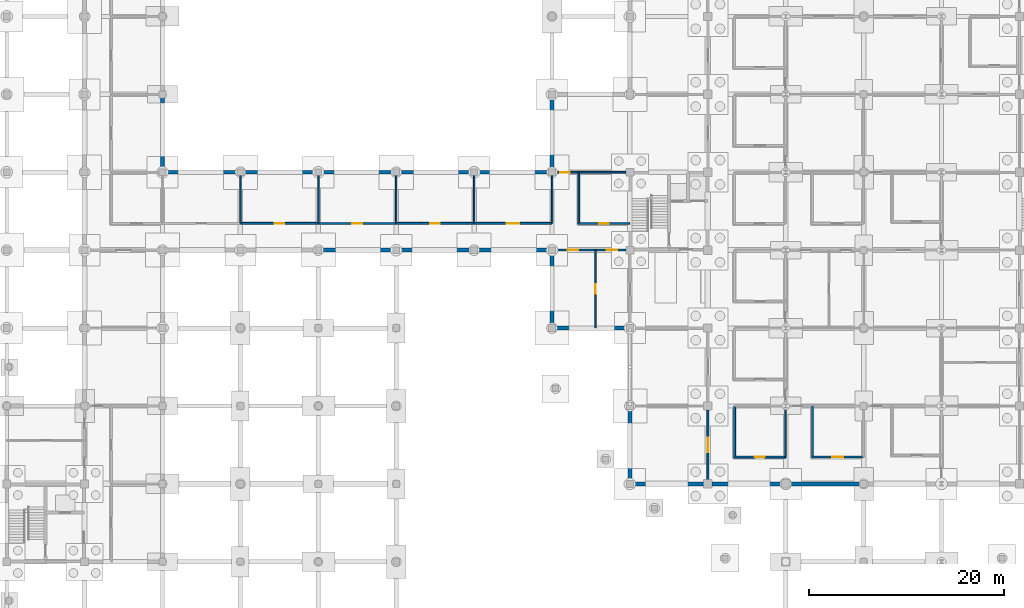
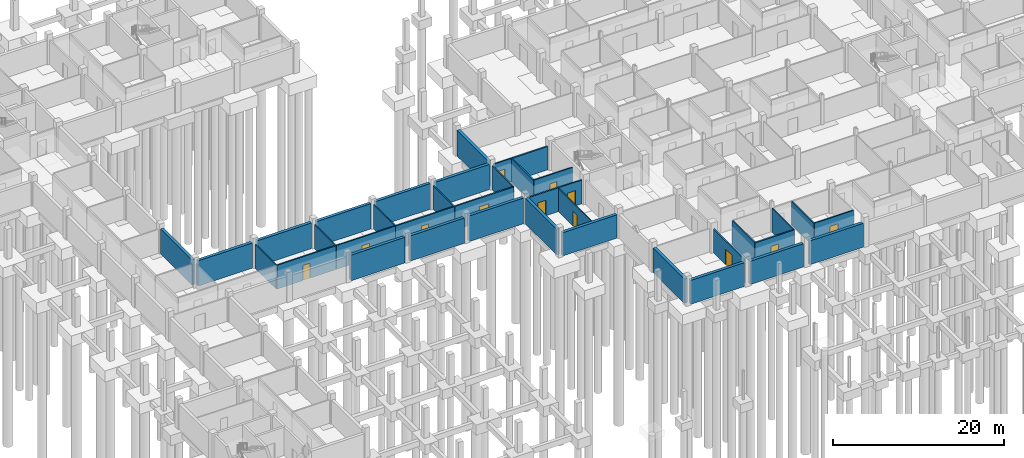
# One storey, part 27 of 48: 36 walls, 12 doors, 12 openings.
"""IFC4 building model written with IfcOpenShell, lengths in metres."""

from ifc_helpers import new_model, si_unit, derived_unit, direction, frame, frame_2d, origin, place, context, subcontext, project, spatial, rectangle, extrude, material, layer, layer_set, type_object, element, fill, save


model = new_model("IFC4")

# Units and contexts
model_context = context("Model", 3, precision=1e-05, world=origin(), true_north=direction((0.0, 1.0)))
body_context = subcontext(model_context, "Body", "Model", "MODEL_VIEW")
ifc_project = project(units=[si_unit("LENGTHUNIT", "METRE"), si_unit("AREAUNIT", "SQUARE_METRE"), si_unit("VOLUMEUNIT", "CUBIC_METRE"), si_unit("PLANEANGLEUNIT", "RADIAN"), si_unit("MASSUNIT", "GRAM", prefix="KILO"), derived_unit("THERMALTRANSMITTANCEUNIT", [(si_unit("MASSUNIT", "GRAM", prefix="KILO"), 1), (si_unit("TIMEUNIT", "SECOND"), -3), (si_unit("THERMODYNAMICTEMPERATUREUNIT", "KELVIN"), -1)])], contexts=[model_context])

# Site, building, storey
site_placement = place(None, origin())
site = spatial("IfcSite", under=ifc_project, at=site_placement, CompositionType="ELEMENT")
building_placement = place(site_placement, origin())
building = spatial("IfcBuilding", under=site, at=building_placement, Name="Veyamyaing Civic Hall", CompositionType="ELEMENT")
storey_placement = place(building_placement, frame((0.0, 0.0, -4.2900390625)))
storey = spatial("IfcBuildingStorey", under=building, at=storey_placement, Name="B1", CompositionType="ELEMENT", Elevation=-4.2900390625)

# Walls
ifc_material_1 = material(Name="Concrete C40/50", Category="concrete")
ifc_layer_1 = layer(ifc_material_1, 0.39990234375, Name="Concrete C40/50")
ifc_layer_set_1 = layer_set([ifc_layer_1], Name="Concrete C40/50")
wall_type_1 = type_object("IfcWallType", Name="WT-01", PredefinedType="SHEAR", material=ifc_layer_set_1)
for number, where, z_axis, x_axis, name in (
    (1, (16.0, 56.3349609375, 0.0), (0.0, 0.0, 1.0), (0.0, 1.0, 0.0), "Basement retaining wall WT-01 E 2.8"),
    (2, (16.3349609375, 56.0, 0.0), (0.0, 0.0, 1.0), (1.0, 0.0, 0.0), "Basement retaining wall WT-01 N 3.7"),
):
    element("IfcWall", number, at=place(storey_placement, frame(where, z_axis=z_axis, x_axis=x_axis)), inside=storey, type_object=wall_type_1, Name=name, PredefinedType="SHEAR", context=body_context, shape_type="SweptSolid", body=[
        extrude(rectangle(XDim=7.330078125, YDim=0.39990234375, at=frame_2d((3.6650390625, 0.0))), origin(), (0.0, 0.0, 1.0), 3.60009765625),
    ])
for number, where, z_axis, x_axis, name in (
    (3, (24.3349609375, 56.0, 0.0), (0.0, 0.0, 1.0), (1.0, 0.0, 0.0), "Basement retaining wall WT-01 N 4.7"),
    (4, (32.3349609375, 48.0, 0.0), (0.0, 0.0, 1.0), (1.0, 0.0, 0.0), "Basement retaining wall WT-01 S 5.7"),
):
    element("IfcWall", number, at=place(storey_placement, frame(where, z_axis=z_axis, x_axis=x_axis)), inside=storey, type_object=wall_type_1, Name=name, PredefinedType="SHEAR", context=body_context, shape_type="SweptSolid", body=[
        extrude(rectangle(XDim=7.330078125, YDim=0.39990234375, at=frame_2d((3.6650390625, 0.0))), origin(), (0.0, 0.0, 1.0), 3.6640625),
    ])
for number, where, z_axis, x_axis, name in (
    (5, (32.3349609375, 56.0, 0.0), (0.0, 0.0, 1.0), (1.0, 0.0, 0.0), "Basement retaining wall WT-01 N 5.7"),
    (6, (40.3349609375, 48.0, 0.0), (0.0, 0.0, 1.0), (1.0, 0.0, 0.0), "Basement retaining wall WT-01 S 6.7"),
):
    element("IfcWall", number, at=place(storey_placement, frame(where, z_axis=z_axis, x_axis=x_axis)), inside=storey, type_object=wall_type_1, Name=name, PredefinedType="SHEAR", context=body_context, shape_type="SweptSolid", body=[
        extrude(rectangle(XDim=7.330078125, YDim=0.39990234375, at=frame_2d((3.6650390625, 0.0))), origin(), (0.0, 0.0, 1.0), 3.60400390625),
    ])
for number, where, z_axis, x_axis, name in (
    (7, (40.3349609375, 56.0, 0.0), (0.0, 0.0, 1.0), (1.0, 0.0, 0.0), "Basement retaining wall WT-01 N 6.7"),
    (8, (48.3349609375, 48.0, 0.0), (0.0, 0.0, 1.0), (1.0, 0.0, 0.0), "Basement retaining wall WT-01 S 7.7"),
):
    element("IfcWall", number, at=place(storey_placement, frame(where, z_axis=z_axis, x_axis=x_axis)), inside=storey, type_object=wall_type_1, Name=name, PredefinedType="SHEAR", context=body_context, shape_type="SweptSolid", body=[
        extrude(rectangle(XDim=7.330078125, YDim=0.39990234375, at=frame_2d((3.6650390625, 0.0))), origin(), (0.0, 0.0, 1.0), 3.6669921875),
    ])
wall_1_placement = place(storey_placement, frame((48.3349609375, 56.0, 0.0), z_axis=(0.0, 0.0, 1.0), x_axis=(1.0, 0.0, 0.0)))
element("IfcWall", 9, at=wall_1_placement, inside=storey, type_object=wall_type_1, Name="Basement retaining wall WT-01 N 7.7", PredefinedType="SHEAR", context=body_context, shape_type="SweptSolid", body=[
    extrude(rectangle(XDim=7.330078125, YDim=0.39990234375, at=frame_2d((3.6650390625, 0.0))), origin(), (0.0, 0.0, 1.0), 3.60009765625),
])
wall_2_placement = place(storey_placement, frame((56.3349609375, 40.0, 0.0), z_axis=(0.0, 0.0, 1.0), x_axis=(1.0, 0.0, 0.0)))
element("IfcWall", 10, at=wall_2_placement, inside=storey, type_object=wall_type_1, Name="Basement retaining wall WT-01 S 8.6", PredefinedType="SHEAR", context=body_context, shape_type="SweptSolid", body=[
    extrude(rectangle(XDim=7.330078125, YDim=0.39990234375, at=frame_2d((3.6650390625, 0.0))), origin(), (0.0, 0.0, 1.0), 3.323974609375),
])
wall_3_placement = place(storey_placement, frame((56.0, 40.3349609375, 0.0), z_axis=(0.0, 0.0, 1.0), x_axis=(0.0, 1.0, 0.0)))
element("IfcWall", 11, at=wall_3_placement, inside=storey, type_object=wall_type_1, Name="Basement retaining wall WT-01 W 8.6", PredefinedType="SHEAR", context=body_context, shape_type="SweptSolid", body=[
    extrude(rectangle(XDim=7.330078125, YDim=0.39990234375, at=frame_2d((3.6650390625, 0.0))), origin(), (0.0, 0.0, 1.0), 3.6669921875),
])
wall_4_placement = place(storey_placement, frame((56.0, 56.3349609375, 0.0), z_axis=(0.0, 0.0, 1.0), x_axis=(0.0, 1.0, 0.0)))
element("IfcWall", 12, at=wall_4_placement, inside=storey, type_object=wall_type_1, Name="Basement retaining wall WT-01 W 8.8", PredefinedType="SHEAR", context=body_context, shape_type="SweptSolid", body=[
    extrude(rectangle(XDim=7.330078125, YDim=0.39990234375, at=frame_2d((3.6650390625, 0.0))), origin(), (0.0, 0.0, 1.0), 3.6640625),
])
wall_5_placement = place(storey_placement, frame((64.3349609375, 24.0, 0.0), z_axis=(0.0, 0.0, 1.0), x_axis=(1.0, 0.0, 0.0)))
element("IfcWall", 13, at=wall_5_placement, inside=storey, type_object=wall_type_1, Name="Basement retaining wall WT-01 S 9.4", PredefinedType="SHEAR", context=body_context, shape_type="SweptSolid", body=[
    extrude(rectangle(XDim=7.255126953125, YDim=0.39990234375, at=frame_2d((3.62744140625, 0.0))), origin(), (0.0, 0.0, 1.0), 3.401123046875),
])
wall_6_placement = place(storey_placement, frame((64.0, 24.3349609375, 0.0), z_axis=(0.0, 0.0, 1.0), x_axis=(0.0, 1.0, 0.0)))
element("IfcWall", 14, at=wall_6_placement, inside=storey, type_object=wall_type_1, Name="Basement retaining wall WT-01 W 9.4", PredefinedType="SHEAR", context=body_context, shape_type="SweptSolid", body=[
    extrude(rectangle(XDim=7.330078125, YDim=0.39990234375, at=frame_2d((3.6650390625, 0.0))), origin(), (0.0, 0.0, 1.0), 3.468017578125),
])
wall_7_placement = place(storey_placement, frame((72.409912109375, 24.0, 0.0), z_axis=(0.0, 0.0, 1.0), x_axis=(1.0, 0.0, 0.0)))
element("IfcWall", 15, at=wall_7_placement, inside=storey, type_object=wall_type_1, Name="Basement retaining wall WT-01 S 10.4", PredefinedType="SHEAR", context=body_context, shape_type="SweptSolid", body=[
    extrude(rectangle(XDim=7.18017578125, YDim=0.39990234375, at=frame_2d((3.590087890625, 0.0))), origin(), (0.0, 0.0, 1.0), 3.323974609375),
])
wall_8_placement = place(storey_placement, frame((80.409912109375, 24.0, 0.0), z_axis=(0.0, 0.0, 1.0), x_axis=(1.0, 0.0, 0.0)))
element("IfcWall", 16, at=wall_8_placement, inside=storey, type_object=wall_type_1, Name="Basement retaining wall WT-01 S 11.4", PredefinedType="SHEAR", context=body_context, shape_type="SweptSolid", body=[
    extrude(rectangle(XDim=7.255126953125, YDim=0.39990234375, at=frame_2d((3.62744140625, 0.0))), origin(), (0.0, 0.0, 1.0), 3.400146484375),
])

# Wall, openings, doors
ifc_layer_2 = layer(ifc_material_1, 0.199951171875, Name="Concrete C40/50")
ifc_layer_set_2 = layer_set([ifc_layer_2], Name="Concrete C40/50")
wall_type_2 = type_object("IfcWallType", Name="WT-06", PredefinedType="PARTITIONING", material=ifc_layer_set_2)
wall_9_placement = place(storey_placement, frame((56.340087890625, 48.0, 0.0), z_axis=(0.0, 0.0, 1.0), x_axis=(1.0, 0.0, 0.0)))
wall_9 = element("IfcWall", 17, at=wall_9_placement, inside=storey, type_object=wall_type_2, Name="Interior partition wall WT-06 B1.14", PredefinedType="PARTITIONING", context=body_context, shape_type="SweptSolid", body=[
    extrude(rectangle(XDim=7.27001953125, YDim=0.199951171875, at=frame_2d((3.635009765625, 0.0))), origin(), (0.0, 0.0, 1.0), 3.39306640625),
])
opening_1_placement = place(wall_9_placement, frame((1.277587890625, 0.0, 0.0)))
opening_1 = element("IfcOpeningElement", 18, at=opening_1_placement, cuts=wall_9, Name="Opening D-23", PredefinedType="OPENING", context=body_context, shape_type="SweptSolid", body=[
    extrude(rectangle(XDim=1.080078125, YDim=2.199951171875, at=frame_2d((0.5400390625, 1.10009765625))), frame((0.0, 0.10986328125, 0.0), z_axis=(0.0, -1.0, 0.0), x_axis=(1.0, 0.0, 0.0)), (0.0, 0.0, 1.0), 0.219970703125),
])
opening_2_placement = place(wall_9_placement, frame((5.27587890625, 0.0, 0.0)))
opening_2 = element("IfcOpeningElement", 19, at=opening_2_placement, cuts=wall_9, Name="Opening D-23", PredefinedType="OPENING", context=body_context, shape_type="SweptSolid", body=[
    extrude(rectangle(XDim=1.080078125, YDim=2.199951171875, at=frame_2d((0.5400390625, 1.10009765625))), frame((0.0, 0.10986328125, 0.0), z_axis=(0.0, -1.0, 0.0), x_axis=(1.0, 0.0, 0.0)), (0.0, 0.0, 1.0), 0.219970703125),
])
ifc_material_2 = material(Name="Teak-veneered acoustic timber", Category="wood")
door_type_1 = type_object("IfcDoorType", Name="D-23", OperationType="NOTDEFINED", PredefinedType="DOOR", material=ifc_material_2)
door_1_placement = place(opening_1_placement, frame((1.080078125, 0.0, 0.0), z_axis=(0.0, 0.0, 1.0), x_axis=(-1.0, 0.0, 0.0)))
door_1 = element("IfcDoor", 20, at=door_1_placement, inside=storey, type_object=door_type_1, Name="Interior room door D-23 B1.14.1", OperationType="SINGLE_SWING_RIGHT", OverallHeight=2.199951171875, OverallWidth=1.080078125, PredefinedType="DOOR", context=body_context, shape_type="SweptSolid", body=[
    extrude(rectangle(XDim=1.080078125, YDim=2.199951171875, at=frame_2d((0.5400390625, 1.10009765625))), frame((0.0, 0.02490234375, 0.0), z_axis=(0.0, -1.0, 0.0), x_axis=(1.0, 0.0, 0.0)), (0.0, 0.0, 1.0), 0.050048828125),
])
fill(opening_1, door_1)
door_2_placement = place(opening_2_placement, frame((1.080078125, 0.0, 0.0), z_axis=(0.0, 0.0, 1.0), x_axis=(-1.0, 0.0, 0.0)))
door_2 = element("IfcDoor", 21, at=door_2_placement, inside=storey, type_object=door_type_1, Name="Interior room door D-23 B1.14.2", OperationType="SINGLE_SWING_LEFT", OverallHeight=2.199951171875, OverallWidth=1.080078125, PredefinedType="DOOR", context=body_context, shape_type="SweptSolid", body=[
    extrude(rectangle(XDim=1.080078125, YDim=2.199951171875, at=frame_2d((0.5400390625, 1.10009765625))), frame((0.0, 0.02490234375, 0.0), z_axis=(0.0, -1.0, 0.0), x_axis=(1.0, 0.0, 0.0)), (0.0, 0.0, 1.0), 0.050048828125),
])
fill(opening_2, door_2)

# Wall, opening, door
wall_10_placement = place(storey_placement, frame((56.340087890625, 56.0, 0.0), z_axis=(0.0, 0.0, 1.0), x_axis=(1.0, 0.0, 0.0)))
wall_10 = element("IfcWall", 22, at=wall_10_placement, inside=storey, type_object=wall_type_2, Name="Interior partition wall WT-06 B1.15", PredefinedType="PARTITIONING", context=body_context, shape_type="SweptSolid", body=[
    extrude(rectangle(XDim=7.27001953125, YDim=0.199951171875, at=frame_2d((3.635009765625, 0.0))), origin(), (0.0, 0.0, 1.0), 3.325927734375),
])
opening_3_placement = place(wall_10_placement, frame((0.52001953125, 0.0, 0.0)))
opening_3 = element("IfcOpeningElement", 23, at=opening_3_placement, cuts=wall_10, Name="Opening D-30", PredefinedType="OPENING", context=body_context, shape_type="SweptSolid", body=[
    extrude(rectangle(XDim=0.93994140625, YDim=2.1201171875, at=frame_2d((0.469970703125, 1.06005859375))), frame((0.0, 0.10986328125, 0.0), z_axis=(0.0, -1.0, 0.0), x_axis=(1.0, 0.0, 0.0)), (0.0, 0.0, 1.0), 0.219970703125),
])
door_type_2 = type_object("IfcDoorType", Name="D-30", OperationType="NOTDEFINED", PredefinedType="DOOR", material=ifc_material_2)
door_3_placement = place(opening_3_placement, origin())
door_3 = element("IfcDoor", 24, at=door_3_placement, inside=storey, type_object=door_type_2, Name="Interior door D-30 B1.15", OperationType="SINGLE_SWING_RIGHT", OverallHeight=2.1201171875, OverallWidth=0.93994140625, PredefinedType="DOOR", context=body_context, shape_type="SweptSolid", body=[
    extrude(rectangle(XDim=0.93994140625, YDim=2.1201171875, at=frame_2d((0.469970703125, 1.06005859375))), frame((0.0, 0.02490234375, 0.0), z_axis=(0.0, -1.0, 0.0), x_axis=(1.0, 0.0, 0.0)), (0.0, 0.0, 1.0), 0.050048828125),
])
fill(opening_3, door_3)

wall_11_placement = place(storey_placement, frame((72.0, 24.4150390625, 0.0), z_axis=(0.0, 0.0, 1.0), x_axis=(0.0, 1.0, 0.0)))
wall_11 = element("IfcWall", 25, at=wall_11_placement, inside=storey, type_object=wall_type_2, Name="Interior partition wall WT-06 B1.16", PredefinedType="PARTITIONING", context=body_context, shape_type="SweptSolid", body=[
    extrude(rectangle(XDim=7.169921875, YDim=0.199951171875, at=frame_2d((3.5849609375, 0.0))), origin(), (0.0, 0.0, 1.0), 3.39306640625),
])
opening_4_placement = place(wall_11_placement, frame((2.8349609375, 0.0, 0.0)))
opening_4 = element("IfcOpeningElement", 26, at=opening_4_placement, cuts=wall_11, Name="Opening D-10", PredefinedType="OPENING", context=body_context, shape_type="SweptSolid", body=[
    extrude(rectangle(XDim=1.5, YDim=2.25, at=frame_2d((0.75, 1.125))), frame((0.0, 0.10986328125, 0.0), z_axis=(0.0, -1.0, 0.0), x_axis=(1.0, 0.0, 0.0)), (0.0, 0.0, 1.0), 0.219970703125),
])
ifc_material_3 = material(Name="Galvanized steel S355J2", Category="steel")
door_type_3 = type_object("IfcDoorType", Name="D-10", OperationType="DOUBLE_DOOR_SINGLE_SWING", PredefinedType="DOOR", material=ifc_material_3)
door_4_placement = place(opening_4_placement, origin())
door_4 = element("IfcDoor", 27, at=door_4_placement, inside=storey, type_object=door_type_3, Name="Interior door D-10 B1.16", OperationType="DOUBLE_DOOR_SINGLE_SWING", OverallHeight=2.25, OverallWidth=1.5, PredefinedType="DOOR", context=body_context, shape_type="SweptSolid", body=[
    extrude(rectangle(XDim=1.5, YDim=2.25, at=frame_2d((0.75, 1.125))), frame((0.0, 0.02490234375, 0.0), z_axis=(0.0, -1.0, 0.0), x_axis=(1.0, 0.0, 0.0)), (0.0, 0.0, 1.0), 0.050048828125),
])
fill(opening_4, door_4)

ifc_material_4 = material(Name="Gypsum board on acoustic steel stud", Category="steel")
ifc_layer_3 = layer(ifc_material_4, 0.175048828125, Name="Gypsum board on acoustic steel stud")
ifc_layer_set_3 = layer_set([ifc_layer_3], Name="Gypsum board on acoustic steel stud")
wall_type_3 = type_object("IfcWallType", Name="WT-07", PredefinedType="PARTITIONING", material=ifc_layer_set_3)
wall_12_placement = place(storey_placement, frame((32.02001953125, 50.75, 0.0), z_axis=(0.0, 0.0, 1.0), x_axis=(1.0, 0.0, 0.0)))
wall_12 = element("IfcWall", 28, at=wall_12_placement, inside=storey, type_object=wall_type_3, Name="Corridor gallery partition WT-07 B1.15.1", PredefinedType="PARTITIONING", context=body_context, shape_type="SweptSolid", body=[
    extrude(rectangle(XDim=7.9599609375, YDim=0.175048828125, at=frame_2d((3.97998046875, 0.0))), origin(), (0.0, 0.0, 1.0), 3.39404296875),
])
opening_5_placement = place(wall_12_placement, frame((3.4599609375, 0.0, 0.0)))
opening_5 = element("IfcOpeningElement", 29, at=opening_5_placement, cuts=wall_12, Name="Opening D-24", PredefinedType="OPENING", context=body_context, shape_type="SweptSolid", body=[
    extrude(rectangle(XDim=1.0400390625, YDim=2.179931640625, at=frame_2d((0.52001953125, 1.08984375))), frame((0.0, 0.097412109375, 0.0), z_axis=(0.0, -1.0, 0.0), x_axis=(1.0, 0.0, 0.0)), (0.0, 0.0, 1.0), 0.195068359375),
])
door_type_4 = type_object("IfcDoorType", Name="D-24", OperationType="NOTDEFINED", PredefinedType="DOOR", material=ifc_material_2)
door_5_placement = place(opening_5_placement, origin())
door_5 = element("IfcDoor", 30, at=door_5_placement, inside=storey, type_object=door_type_4, Name="Gallery office door D-24 B1.15", OperationType="SINGLE_SWING_LEFT", OverallHeight=2.179931640625, OverallWidth=1.0400390625, PredefinedType="DOOR", context=body_context, shape_type="SweptSolid", body=[
    extrude(rectangle(XDim=1.0400390625, YDim=2.179931640625, at=frame_2d((0.52001953125, 1.08984375))), frame((0.0, 0.02490234375, 0.0), z_axis=(0.0, -1.0, 0.0), x_axis=(1.0, 0.0, 0.0)), (0.0, 0.0, 1.0), 0.050048828125),
])
fill(opening_5, door_5)

wall_13_placement = place(storey_placement, frame((58.699951171875, 50.75, 0.0), z_axis=(0.0, 0.0, 1.0), x_axis=(1.0, 0.0, 0.0)))
wall_13 = element("IfcWall", 31, at=wall_13_placement, inside=storey, type_object=wall_type_3, Name="Corridor gallery partition WT-07 B1.19.1", PredefinedType="PARTITIONING", context=body_context, shape_type="SweptSolid", body=[
    extrude(rectangle(XDim=5.280029296875, YDim=0.175048828125, at=frame_2d((2.64013671875, 0.0))), origin(), (0.0, 0.0, 1.0), 3.39404296875),
])
opening_6_placement = place(wall_13_placement, frame((2.169921875, 0.0, 0.0)))
opening_6 = element("IfcOpeningElement", 32, at=opening_6_placement, cuts=wall_13, Name="Opening D-30", PredefinedType="OPENING", context=body_context, shape_type="SweptSolid", body=[
    extrude(rectangle(XDim=0.93994140625, YDim=2.1201171875, at=frame_2d((0.469970703125, 1.06005859375))), frame((0.0, 0.097412109375, 0.0), z_axis=(0.0, -1.0, 0.0), x_axis=(1.0, 0.0, 0.0)), (0.0, 0.0, 1.0), 0.195068359375),
])
door_6_placement = place(opening_6_placement, origin())
door_6 = element("IfcDoor", 33, at=door_6_placement, inside=storey, type_object=door_type_2, Name="Gallery office door D-30 B1.19", OperationType="SINGLE_SWING_LEFT", OverallHeight=2.1201171875, OverallWidth=0.93994140625, PredefinedType="DOOR", context=body_context, shape_type="SweptSolid", body=[
    extrude(rectangle(XDim=0.93994140625, YDim=2.1201171875, at=frame_2d((0.469970703125, 1.06005859375))), frame((0.0, 0.02490234375, 0.0), z_axis=(0.0, -1.0, 0.0), x_axis=(1.0, 0.0, 0.0)), (0.0, 0.0, 1.0), 0.050048828125),
])
fill(opening_6, door_6)

# Wall
wall_14_placement = place(storey_placement, frame((58.75, 50.699951171875, 0.0), z_axis=(0.0, 0.0, 1.0), x_axis=(0.0, 1.0, 0.0)))
element("IfcWall", 34, at=wall_14_placement, inside=storey, type_object=wall_type_3, Name="Corridor gallery partition WT-07 B1.19.2", PredefinedType="PARTITIONING", context=body_context, shape_type="SweptSolid", body=[
    extrude(rectangle(XDim=5.280029296875, YDim=0.175048828125, at=frame_2d((2.64013671875, 0.0))), origin(), (0.0, 0.0, 1.0), 3.325927734375),
])

# Wall, opening, door
wall_15_placement = place(storey_placement, frame((82.699951171875, 26.75, 0.0), z_axis=(0.0, 0.0, 1.0), x_axis=(1.0, 0.0, 0.0)))
wall_15 = element("IfcWall", 35, at=wall_15_placement, inside=storey, type_object=wall_type_3, Name="Corridor gallery partition WT-07 B1.27.1", PredefinedType="PARTITIONING", context=body_context, shape_type="SweptSolid", body=[
    extrude(rectangle(XDim=5.280029296875, YDim=0.175048828125, at=frame_2d((2.64013671875, 0.0))), origin(), (0.0, 0.0, 1.0), 3.39404296875),
])
opening_7_placement = place(wall_15_placement, frame((2.080078125, 0.0, 0.0)))
opening_7 = element("IfcOpeningElement", 36, at=opening_7_placement, cuts=wall_15, Name="Opening D-26", PredefinedType="OPENING", context=body_context, shape_type="SweptSolid", body=[
    extrude(rectangle(XDim=1.1201171875, YDim=2.219970703125, at=frame_2d((0.56005859375, 1.10986328125))), frame((0.0, 0.097412109375, 0.0), z_axis=(0.0, -1.0, 0.0), x_axis=(1.0, 0.0, 0.0)), (0.0, 0.0, 1.0), 0.195068359375),
])
door_type_5 = type_object("IfcDoorType", Name="D-26", OperationType="NOTDEFINED", PredefinedType="DOOR", material=ifc_material_2)
door_7_placement = place(opening_7_placement, origin())
door_7 = element("IfcDoor", 37, at=door_7_placement, inside=storey, type_object=door_type_5, Name="Gallery office door D-26 B1.27", OperationType="SINGLE_SWING_LEFT", OverallHeight=2.219970703125, OverallWidth=1.1201171875, PredefinedType="DOOR", context=body_context, shape_type="SweptSolid", body=[
    extrude(rectangle(XDim=1.1201171875, YDim=2.219970703125, at=frame_2d((0.56005859375, 1.10986328125))), frame((0.0, 0.02490234375, 0.0), z_axis=(0.0, -1.0, 0.0), x_axis=(1.0, 0.0, 0.0)), (0.0, 0.0, 1.0), 0.050048828125),
])
fill(opening_7, door_7)

# Walls
wall_16_placement = place(storey_placement, frame((82.75, 26.699951171875, 0.0), z_axis=(0.0, 0.0, 1.0), x_axis=(0.0, 1.0, 0.0)))
element("IfcWall", 38, at=wall_16_placement, inside=storey, type_object=wall_type_3, Name="Corridor gallery partition WT-07 B1.27.2", PredefinedType="PARTITIONING", context=body_context, shape_type="SweptSolid", body=[
    extrude(rectangle(XDim=5.280029296875, YDim=0.175048828125, at=frame_2d((2.64013671875, 0.0))), origin(), (0.0, 0.0, 1.0), 3.325927734375),
])
ifc_material_5 = material(Name="Gypsum board on steel stud", Category="steel")
ifc_layer_4 = layer(ifc_material_5, 0.14990234375, Name="Gypsum board on steel stud")
ifc_layer_set_4 = layer_set([ifc_layer_4], Name="Gypsum board on steel stud")
wall_type_4 = type_object("IfcWallType", Name="WT-08", PredefinedType="PARTITIONING", material=ifc_layer_set_4)
wall_17_placement = place(storey_placement, frame((24.0, 50.75, 0.0), z_axis=(0.0, 0.0, 1.0), x_axis=(0.0, 1.0, 0.0)))
element("IfcWall", 39, at=wall_17_placement, inside=storey, type_object=wall_type_4, Name="Gallery office end partition WT-08 B1.11.2", PredefinedType="PARTITIONING", context=body_context, shape_type="SweptSolid", body=[
    extrude(rectangle(XDim=4.889892578125, YDim=0.14990234375, at=frame_2d((2.44482421875, 0.0))), origin(), (0.0, 0.0, 1.0), 3.402099609375),
])
wall_18_placement = place(storey_placement, frame((32.0, 50.75, 0.0), z_axis=(0.0, 0.0, 1.0), x_axis=(0.0, 1.0, 0.0)))
element("IfcWall", 40, at=wall_18_placement, inside=storey, type_object=wall_type_4, Name="Gallery office end partition WT-08 B1.12.2", PredefinedType="PARTITIONING", context=body_context, shape_type="SweptSolid", body=[
    extrude(rectangle(XDim=4.889892578125, YDim=0.14990234375, at=frame_2d((2.44482421875, 0.0))), origin(), (0.0, 0.0, 1.0), 3.39404296875),
])
wall_19_placement = place(storey_placement, frame((40.0, 50.75, 0.0), z_axis=(0.0, 0.0, 1.0), x_axis=(0.0, 1.0, 0.0)))
element("IfcWall", 41, at=wall_19_placement, inside=storey, type_object=wall_type_4, Name="Gallery office end partition WT-08 B1.15.2", PredefinedType="PARTITIONING", context=body_context, shape_type="SweptSolid", body=[
    extrude(rectangle(XDim=4.889892578125, YDim=0.14990234375, at=frame_2d((2.44482421875, 0.0))), origin(), (0.0, 0.0, 1.0), 3.4609375),
])
wall_20_placement = place(storey_placement, frame((48.0, 50.75, 0.0), z_axis=(0.0, 0.0, 1.0), x_axis=(0.0, 1.0, 0.0)))
element("IfcWall", 42, at=wall_20_placement, inside=storey, type_object=wall_type_4, Name="Gallery office end partition WT-08 B1.16.2", PredefinedType="PARTITIONING", context=body_context, shape_type="SweptSolid", body=[
    extrude(rectangle(XDim=4.889892578125, YDim=0.14990234375, at=frame_2d((2.44482421875, 0.0))), origin(), (0.0, 0.0, 1.0), 3.39306640625),
])
wall_21_placement = place(storey_placement, frame((56.0, 50.75, 0.0), z_axis=(0.0, 0.0, 1.0), x_axis=(0.0, 1.0, 0.0)))
element("IfcWall", 43, at=wall_21_placement, inside=storey, type_object=wall_type_4, Name="Gallery office end partition WT-08 B1.18.2", PredefinedType="PARTITIONING", context=body_context, shape_type="SweptSolid", body=[
    extrude(rectangle(XDim=4.889892578125, YDim=0.14990234375, at=frame_2d((2.44482421875, 0.0))), origin(), (0.0, 0.0, 1.0), 3.402099609375),
])
wall_22_placement = place(storey_placement, frame((80.0, 26.75, 0.0), z_axis=(0.0, 0.0, 1.0), x_axis=(0.0, 1.0, 0.0)))
element("IfcWall", 44, at=wall_22_placement, inside=storey, type_object=wall_type_4, Name="Gallery office end partition WT-08 B1.20.2", PredefinedType="PARTITIONING", context=body_context, shape_type="SweptSolid", body=[
    extrude(rectangle(XDim=5.04638671875, YDim=0.14990234375, at=frame_2d((2.523193359375, 0.0))), origin(), (0.0, 0.0, 1.0), 3.402099609375),
])

# Wall, opening, door
ifc_layer_5 = layer(ifc_material_5, 0.135009765625, Name="Gypsum board on steel stud")
ifc_layer_set_5 = layer_set([ifc_layer_5], Name="Gypsum board on steel stud")
wall_type_5 = type_object("IfcWallType", Name="WT-15", PredefinedType="PARTITIONING", material=ifc_layer_set_5)
wall_23_placement = place(storey_placement, frame((60.449951171875, 40.02001953125, 0.0), z_axis=(0.0, 0.0, 1.0), x_axis=(0.0, 1.0, 0.0)))
wall_23 = element("IfcWall", 45, at=wall_23_placement, inside=storey, type_object=wall_type_5, Name="Sub-bay room partition WT-15 B1.2", PredefinedType="PARTITIONING", context=body_context, shape_type="SweptSolid", body=[
    extrude(rectangle(XDim=7.9599609375, YDim=0.135009765625, at=frame_2d((3.97998046875, 0.0))), origin(), (0.0, 0.0, 1.0), 3.317138671875),
])
opening_8_placement = place(wall_23_placement, frame((3.489990234375, 0.0, 0.0)))
opening_8 = element("IfcOpeningElement", 46, at=opening_8_placement, cuts=wall_23, Name="Opening D-14", PredefinedType="OPENING", context=body_context, shape_type="SweptSolid", body=[
    extrude(rectangle(XDim=0.97998046875, YDim=2.14990234375, at=frame_2d((0.489990234375, 1.074951171875))), frame((0.0, 0.077392578125, 0.0), z_axis=(0.0, -1.0, 0.0), x_axis=(1.0, 0.0, 0.0)), (0.0, 0.0, 1.0), 0.155029296875),
])
door_type_6 = type_object("IfcDoorType", Name="D-14", OperationType="NOTDEFINED", PredefinedType="DOOR", material=ifc_material_2)
door_8_placement = place(opening_8_placement, origin())
door_8 = element("IfcDoor", 47, at=door_8_placement, inside=storey, type_object=door_type_6, Name="Suite connecting door D-14 B1.2", OperationType="SINGLE_SWING_RIGHT", OverallHeight=2.14990234375, OverallWidth=0.97998046875, PredefinedType="DOOR", context=body_context, shape_type="SweptSolid", body=[
    extrude(rectangle(XDim=0.97998046875, YDim=2.14990234375, at=frame_2d((0.489990234375, 1.074951171875))), frame((0.0, 0.02490234375, 0.0), z_axis=(0.0, -1.0, 0.0), x_axis=(1.0, 0.0, 0.0)), (0.0, 0.0, 1.0), 0.050048828125),
])
fill(opening_8, door_8)

ifc_material_6 = material(Name="Gypsum board on double acoustic stud")
ifc_layer_6 = layer(ifc_material_6, 0.18505859375, Name="Gypsum board on double acoustic stud")
ifc_layer_set_6 = layer_set([ifc_layer_6], Name="Gypsum board on double acoustic stud")
wall_type_6 = type_object("IfcWallType", Name="WT-19", PredefinedType="PARTITIONING", material=ifc_layer_set_6)
wall_24_placement = place(storey_placement, frame((24.02001953125, 50.75, 0.0), z_axis=(0.0, 0.0, 1.0), x_axis=(1.0, 0.0, 0.0)))
wall_24 = element("IfcWall", 48, at=wall_24_placement, inside=storey, type_object=wall_type_6, Name="Corridor gallery partition WT-19 B1.12.1", PredefinedType="PARTITIONING", context=body_context, shape_type="SweptSolid", body=[
    extrude(rectangle(XDim=7.9599609375, YDim=0.18505859375, at=frame_2d((3.97998046875, 0.0))), origin(), (0.0, 0.0, 1.0), 3.39404296875),
])
opening_9_placement = place(wall_24_placement, frame((3.489990234375, 0.0, 0.0)))
opening_9 = element("IfcOpeningElement", 49, at=opening_9_placement, cuts=wall_24, Name="Opening D-14", PredefinedType="OPENING", context=body_context, shape_type="SweptSolid", body=[
    extrude(rectangle(XDim=0.97998046875, YDim=2.14990234375, at=frame_2d((0.489990234375, 1.074951171875))), frame((0.0, 0.1025390625, 0.0), z_axis=(0.0, -1.0, 0.0), x_axis=(1.0, 0.0, 0.0)), (0.0, 0.0, 1.0), 0.205078125),
])
door_9_placement = place(opening_9_placement, origin())
door_9 = element("IfcDoor", 50, at=door_9_placement, inside=storey, type_object=door_type_6, Name="Gallery office door D-14 B1.12", OperationType="SINGLE_SWING_RIGHT", OverallHeight=2.14990234375, OverallWidth=0.97998046875, PredefinedType="DOOR", context=body_context, shape_type="SweptSolid", body=[
    extrude(rectangle(XDim=0.97998046875, YDim=2.14990234375, at=frame_2d((0.489990234375, 1.074951171875))), frame((0.0, 0.02490234375, 0.0), z_axis=(0.0, -1.0, 0.0), x_axis=(1.0, 0.0, 0.0)), (0.0, 0.0, 1.0), 0.050048828125),
])
fill(opening_9, door_9)

wall_25_placement = place(storey_placement, frame((40.02001953125, 50.75, 0.0), z_axis=(0.0, 0.0, 1.0), x_axis=(1.0, 0.0, 0.0)))
wall_25 = element("IfcWall", 51, at=wall_25_placement, inside=storey, type_object=wall_type_6, Name="Corridor gallery partition WT-19 B1.16.1", PredefinedType="PARTITIONING", context=body_context, shape_type="SweptSolid", body=[
    extrude(rectangle(XDim=7.9599609375, YDim=0.18505859375, at=frame_2d((3.97998046875, 0.0))), origin(), (0.0, 0.0, 1.0), 3.39306640625),
])
opening_10_placement = place(wall_25_placement, frame((3.5, 0.0, 0.0)))
opening_10 = element("IfcOpeningElement", 52, at=opening_10_placement, cuts=wall_25, Name="Opening D-25", PredefinedType="OPENING", context=body_context, shape_type="SweptSolid", body=[
    extrude(rectangle(XDim=0.9599609375, YDim=2.139892578125, at=frame_2d((0.47998046875, 1.06982421875))), frame((0.0, 0.1025390625, 0.0), z_axis=(0.0, -1.0, 0.0), x_axis=(1.0, 0.0, 0.0)), (0.0, 0.0, 1.0), 0.205078125),
])
door_type_7 = type_object("IfcDoorType", Name="D-25", OperationType="NOTDEFINED", PredefinedType="DOOR", material=ifc_material_2)
door_10_placement = place(opening_10_placement, origin())
door_10 = element("IfcDoor", 53, at=door_10_placement, inside=storey, type_object=door_type_7, Name="Gallery office door D-25 B1.16", OperationType="SINGLE_SWING_RIGHT", OverallHeight=2.139892578125, OverallWidth=0.9599609375, PredefinedType="DOOR", context=body_context, shape_type="SweptSolid", body=[
    extrude(rectangle(XDim=0.9599609375, YDim=2.139892578125, at=frame_2d((0.47998046875, 1.06982421875))), frame((0.0, 0.02490234375, 0.0), z_axis=(0.0, -1.0, 0.0), x_axis=(1.0, 0.0, 0.0)), (0.0, 0.0, 1.0), 0.050048828125),
])
fill(opening_10, door_10)

wall_26_placement = place(storey_placement, frame((48.02001953125, 50.75, 0.0), z_axis=(0.0, 0.0, 1.0), x_axis=(1.0, 0.0, 0.0)))
wall_26 = element("IfcWall", 54, at=wall_26_placement, inside=storey, type_object=wall_type_6, Name="Corridor gallery partition WT-19 B1.18.1", PredefinedType="PARTITIONING", context=body_context, shape_type="SweptSolid", body=[
    extrude(rectangle(XDim=7.9599609375, YDim=0.18505859375, at=frame_2d((3.97998046875, 0.0))), origin(), (0.0, 0.0, 1.0), 3.39306640625),
])
opening_11_placement = place(wall_26_placement, frame((3.35498046875, 0.0, 0.0)))
opening_11 = element("IfcOpeningElement", 55, at=opening_11_placement, cuts=wall_26, Name="Opening D-29", PredefinedType="OPENING", context=body_context, shape_type="SweptSolid", body=[
    extrude(rectangle(XDim=1.25, YDim=2.179931640625, at=frame_2d((0.625, 1.08984375))), frame((0.0, 0.1025390625, 0.0), z_axis=(0.0, -1.0, 0.0), x_axis=(1.0, 0.0, 0.0)), (0.0, 0.0, 1.0), 0.205078125),
])
door_type_8 = type_object("IfcDoorType", Name="D-29", OperationType="NOTDEFINED", PredefinedType="DOOR", material=ifc_material_2)
door_11_placement = place(opening_11_placement, origin())
door_11 = element("IfcDoor", 56, at=door_11_placement, inside=storey, type_object=door_type_8, Name="Gallery office door D-29 B1.18", OperationType="SINGLE_SWING_RIGHT", OverallHeight=2.179931640625, OverallWidth=1.25, PredefinedType="DOOR", context=body_context, shape_type="SweptSolid", body=[
    extrude(rectangle(XDim=1.25, YDim=2.179931640625, at=frame_2d((0.625, 1.08984375))), frame((0.0, 0.02490234375, 0.0), z_axis=(0.0, -1.0, 0.0), x_axis=(1.0, 0.0, 0.0)), (0.0, 0.0, 1.0), 0.050048828125),
])
fill(opening_11, door_11)

wall_27_placement = place(storey_placement, frame((74.699951171875, 26.75, 0.0), z_axis=(0.0, 0.0, 1.0), x_axis=(1.0, 0.0, 0.0)))
wall_27 = element("IfcWall", 57, at=wall_27_placement, inside=storey, type_object=wall_type_6, Name="Corridor gallery partition WT-19 B1.20.1", PredefinedType="PARTITIONING", context=body_context, shape_type="SweptSolid", body=[
    extrude(rectangle(XDim=5.280029296875, YDim=0.18505859375, at=frame_2d((2.64013671875, 0.0))), origin(), (0.0, 0.0, 1.0), 3.402099609375),
])
opening_12_placement = place(wall_27_placement, frame((2.114990234375, 0.0, 0.0)))
opening_12 = element("IfcOpeningElement", 58, at=opening_12_placement, cuts=wall_27, Name="Opening D-12", PredefinedType="OPENING", context=body_context, shape_type="SweptSolid", body=[
    extrude(rectangle(XDim=1.050048828125, YDim=2.14990234375, at=frame_2d((0.52490234375, 1.074951171875))), frame((0.0, 0.1025390625, 0.0), z_axis=(0.0, -1.0, 0.0), x_axis=(1.0, 0.0, 0.0)), (0.0, 0.0, 1.0), 0.205078125),
])
door_type_9 = type_object("IfcDoorType", Name="D-12", OperationType="NOTDEFINED", PredefinedType="DOOR", material=ifc_material_2)
door_12_placement = place(opening_12_placement, origin())
door_12 = element("IfcDoor", 59, at=door_12_placement, inside=storey, type_object=door_type_9, Name="Gallery office door D-12 B1.20", OperationType="SINGLE_SWING_RIGHT", OverallHeight=2.14990234375, OverallWidth=1.050048828125, PredefinedType="DOOR", context=body_context, shape_type="SweptSolid", body=[
    extrude(rectangle(XDim=1.050048828125, YDim=2.14990234375, at=frame_2d((0.52490234375, 1.074951171875))), frame((0.0, 0.02490234375, 0.0), z_axis=(0.0, -1.0, 0.0), x_axis=(1.0, 0.0, 0.0)), (0.0, 0.0, 1.0), 0.050048828125),
])
fill(opening_12, door_12)

# Wall
wall_28_placement = place(storey_placement, frame((74.75, 26.699951171875, 0.0), z_axis=(0.0, 0.0, 1.0), x_axis=(0.0, 1.0, 0.0)))
element("IfcWall", 60, at=wall_28_placement, inside=storey, type_object=wall_type_6, Name="Corridor gallery partition WT-19 B1.20.2", PredefinedType="PARTITIONING", context=body_context, shape_type="SweptSolid", body=[
    extrude(rectangle(XDim=5.280029296875, YDim=0.18505859375, at=frame_2d((2.64013671875, 0.0))), origin(), (0.0, 0.0, 1.0), 3.39306640625),
])

save(model, "model.ifc")
